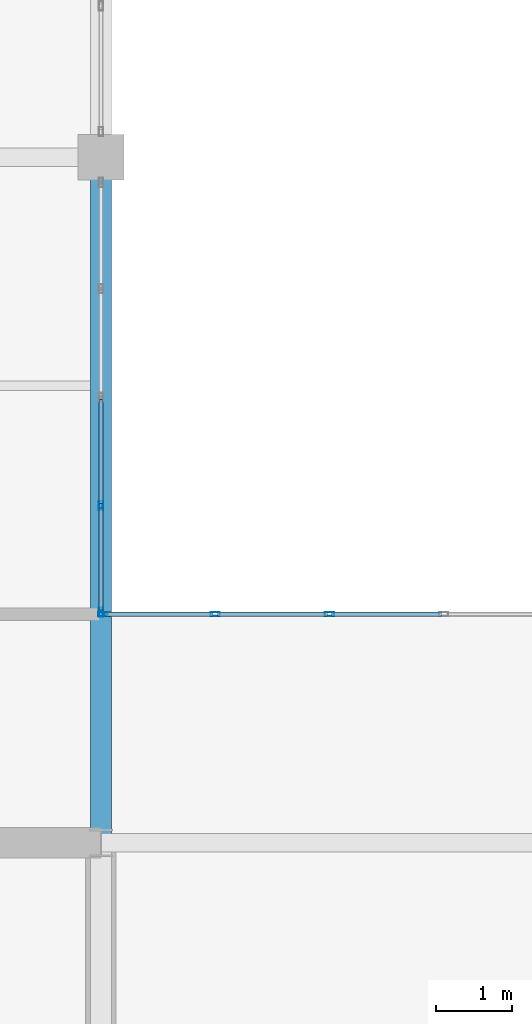
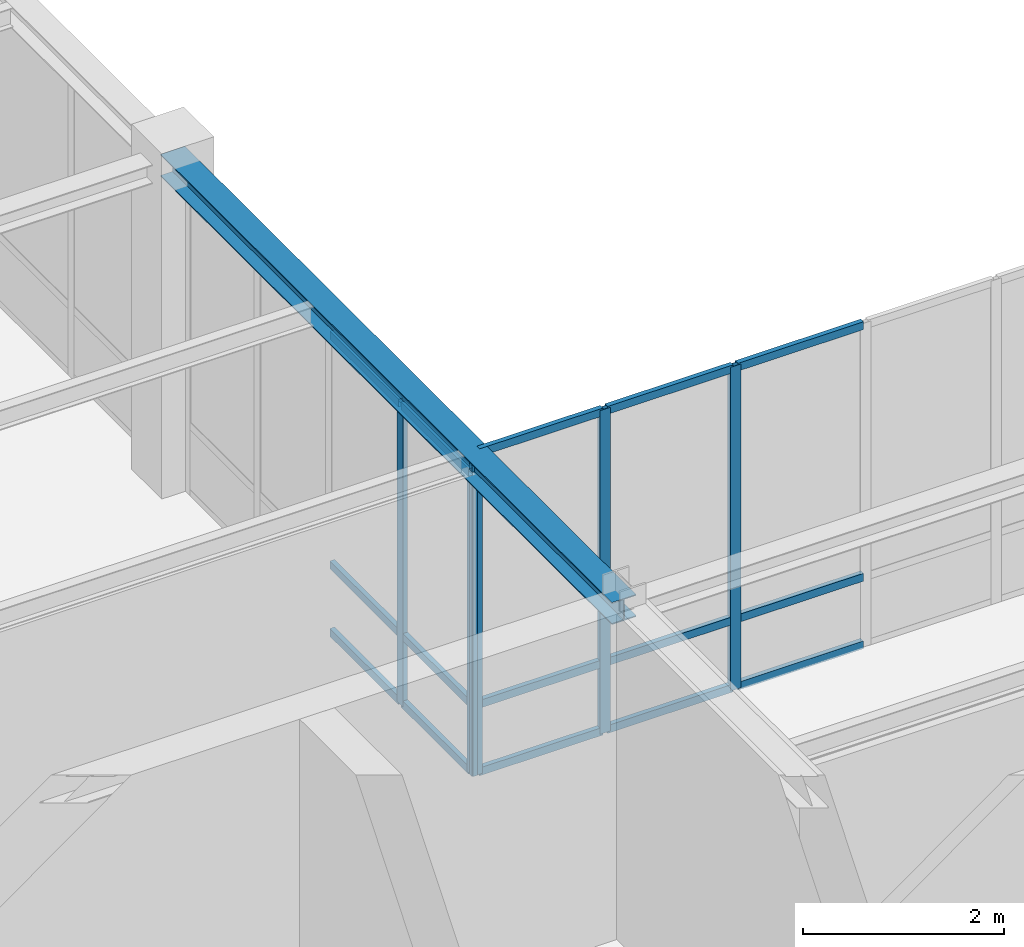
# One storey, part 18 of 97: 20 members, 1 beam, 2 elements without a shape of their own.
"""IFC4 building model written with IfcOpenShell, lengths in metres."""

from ifc_helpers import new_model, si_unit, direction, frame, origin, origin_2d, place, context, subcontext, project, spatial, hollow_rectangle, i_section, extrude, material, material_profile, profile_set, type_object, element, aggregate, save


model = new_model("IFC4")

# Units and contexts
model_context = context("Model", 3, precision=1e-05, world=origin(), true_north=direction((0.0, 1.0)))
body_context = subcontext(model_context, "Body", "Model", "MODEL_VIEW")
ifc_project = project(units=[si_unit("LENGTHUNIT", "METRE"), si_unit("AREAUNIT", "SQUARE_METRE"), si_unit("VOLUMEUNIT", "CUBIC_METRE"), si_unit("PLANEANGLEUNIT", "RADIAN"), si_unit("MASSUNIT", "GRAM", prefix="KILO")], contexts=[model_context])

# Site, building, storey
site_placement = place(None, origin())
site = spatial("IfcSite", under=ifc_project, at=site_placement, CompositionType="ELEMENT")
building_placement = place(site_placement, origin())
building = spatial("IfcBuilding", under=site, at=building_placement, Name="Lykobir Media Centre", CompositionType="ELEMENT")
storey_placement = place(building_placement, frame((0.0, 0.0, 23.39990234375)))
storey = spatial("IfcBuildingStorey", under=building, at=storey_placement, Name="L05", CompositionType="ELEMENT", Elevation=23.39990234375)

# Beam
ifc_material_1 = material(Name="Steel S355", Category="steel")
ifc_material_profile_1 = material_profile(ifc_material_1, i_section(OverallWidth=0.280029296875, OverallDepth=0.27001953125, WebThickness=0.008056640625, FlangeThickness=0.012939453125, at=origin_2d()), Name="HEA 280")
ifc_profile_set_1 = profile_set([ifc_material_profile_1], Name="Steel S355")
beam_type = type_object("IfcBeamType", Name="BM-HEA280", PredefinedType="BEAM", material=ifc_profile_set_1)
beam_placement = place(storey_placement, frame((36.0, 18.0, 3.8251953125), z_axis=(0.0, 1.0, 0.0), x_axis=(-1.0, 0.0, 0.0)))
element("IfcBeam", 1, at=beam_placement, inside=storey, type_object=beam_type, Name="Beam BM-L05-0360-0180-0360-0270-2722", PredefinedType="BEAM", context=body_context, shape_type="SweptSolid", body=[
    extrude(i_section(OverallWidth=0.280029296875, OverallDepth=0.27001953125, WebThickness=0.008056640625, FlangeThickness=0.012939453125, at=origin_2d()), origin(), (0.0, 0.0, 1.0), 9.0),
])

# Curtain wall, members
ifc_material_2 = material(Name="Anodized Aluminium AW-6060", Category="aluminium")
curtain_wall_type = type_object("IfcCurtainWallType", Name="CW-COURT-B", PredefinedType="NOTDEFINED", material=ifc_material_2)
curtain_wall_1_placement = place(storey_placement, origin())
curtain_wall_1 = element("IfcCurtainWall", 2, at=curtain_wall_1_placement, inside=storey, type_object=curtain_wall_type, Name="Curtain wall CW2-L05-0190", PredefinedType="NOTDEFINED")
ifc_material_profile_2 = material_profile(ifc_material_2, hollow_rectangle(XDim=0.054931640625, YDim=0.1201171875, WallThickness=0.003173828125, at=origin_2d()), Name="ALU MULLION 55x120")
ifc_profile_set_2 = profile_set([ifc_material_profile_2], Name="Anodized Aluminium AW-6060")
member_type_1 = type_object("IfcMemberType", Name="CWM-120", PredefinedType="MULLION", material=ifc_profile_set_2)
member_1_placement = place(storey_placement, frame((36.027587890625, 21.0, 0.0), z_axis=(0.0, 0.0, 1.0), x_axis=(0.0, 1.0, 0.0)))
member_1 = element("IfcMember", 3, at=member_1_placement, type_object=member_type_1, Name="CW2-L05-0190 mullion 1", PredefinedType="MULLION", context=body_context, shape_type="SweptSolid", body=[
    extrude(hollow_rectangle(XDim=0.054931640625, YDim=0.1201171875, WallThickness=0.003173828125, at=origin_2d()), origin(), (0.0, 0.0, 1.0), 3.940185546875),
])
member_2_placement = place(storey_placement, frame((37.5, 21.0, 0.0), z_axis=(0.0, 0.0, 1.0), x_axis=(0.0, 1.0, 0.0)))
member_2 = element("IfcMember", 4, at=member_2_placement, type_object=member_type_1, Name="CW2-L05-0190 mullion 2", PredefinedType="MULLION", context=body_context, shape_type="SweptSolid", body=[
    extrude(hollow_rectangle(XDim=0.054931640625, YDim=0.1201171875, WallThickness=0.003173828125, at=origin_2d()), origin(), (0.0, 0.0, 1.0), 3.940185546875),
])
member_3_placement = place(storey_placement, frame((39.0, 21.0, 0.0), z_axis=(0.0, 0.0, 1.0), x_axis=(0.0, 1.0, 0.0)))
member_3 = element("IfcMember", 5, at=member_3_placement, type_object=member_type_1, Name="CW2-L05-0190 mullion 3", PredefinedType="MULLION", context=body_context, shape_type="SweptSolid", body=[
    extrude(hollow_rectangle(XDim=0.054931640625, YDim=0.1201171875, WallThickness=0.003173828125, at=origin_2d()), origin(), (0.0, 0.0, 1.0), 3.940185546875),
])

curtain_wall_2_placement = place(storey_placement, origin())
curtain_wall_2 = element("IfcCurtainWall", 6, at=curtain_wall_2_placement, inside=storey, type_object=curtain_wall_type, Name="Curtain wall CW2-L05-0194", PredefinedType="NOTDEFINED")
member_4_placement = place(storey_placement, frame((36.0, 22.423583984375, 0.0), z_axis=(0.0, 0.0, 1.0), x_axis=(1.0, 0.0, 0.0)))
member_4 = element("IfcMember", 7, at=member_4_placement, type_object=member_type_1, Name="CW2-L05-0194 mullion 4", PredefinedType="MULLION", context=body_context, shape_type="SweptSolid", body=[
    extrude(hollow_rectangle(XDim=0.054931640625, YDim=0.1201171875, WallThickness=0.003173828125, at=origin_2d()), origin(), (0.0, 0.0, 1.0), 3.675048828125),
])
member_5_placement = place(storey_placement, frame((36.0, 21.027587890625, 0.0), z_axis=(0.0, 0.0, 1.0), x_axis=(1.0, 0.0, 0.0)))
member_5 = element("IfcMember", 8, at=member_5_placement, type_object=member_type_1, Name="CW2-L05-0194 mullion 5", PredefinedType="MULLION", context=body_context, shape_type="SweptSolid", body=[
    extrude(hollow_rectangle(XDim=0.054931640625, YDim=0.1201171875, WallThickness=0.003173828125, at=origin_2d()), origin(), (0.0, 0.0, 1.0), 3.675048828125),
])

# Member
ifc_material_profile_3 = material_profile(ifc_material_2, hollow_rectangle(XDim=0.054931640625, YDim=0.094970703125, WallThickness=0.0029296875, at=origin_2d()), Name="ALU TRANSOM 55x95")
ifc_profile_set_3 = profile_set([ifc_material_profile_3], Name="Anodized Aluminium AW-6060")
member_type_2 = type_object("IfcMemberType", Name="CWT-095", PredefinedType="USERDEFINED", material=ifc_profile_set_3)
member_6_placement = place(storey_placement, frame((36.054931640625, 21.0, 0.027587890625), z_axis=(1.0, 0.0, 0.0), x_axis=(0.0, 1.0, 0.0)))
member_6 = element("IfcMember", 9, at=member_6_placement, type_object=member_type_2, Name="CW2-L05-0190 transom 1.1", ObjectType="TRANSOM", PredefinedType="USERDEFINED", context=body_context, shape_type="SweptSolid", body=[
    extrude(hollow_rectangle(XDim=0.054931640625, YDim=0.094970703125, WallThickness=0.0029296875, at=origin_2d()), origin(), (0.0, 0.0, 1.0), 1.41748046875),
])

member_7_placement = place(storey_placement, frame((36.054931640625, 21.0, 0.85009765625), z_axis=(1.0, 0.0, 0.0), x_axis=(0.0, 1.0, 0.0)))
member_7 = element("IfcMember", 10, at=member_7_placement, type_object=member_type_2, Name="CW2-L05-0190 transom 1.2", ObjectType="TRANSOM", PredefinedType="USERDEFINED", context=body_context, shape_type="SweptSolid", body=[
    extrude(hollow_rectangle(XDim=0.054931640625, YDim=0.094970703125, WallThickness=0.0029296875, at=origin_2d()), origin(), (0.0, 0.0, 1.0), 1.41748046875),
])

member_8_placement = place(storey_placement, frame((36.054931640625, 21.0, 3.91259765625), z_axis=(1.0, 0.0, 0.0), x_axis=(0.0, 1.0, 0.0)))
member_8 = element("IfcMember", 11, at=member_8_placement, type_object=member_type_2, Name="CW2-L05-0190 transom 1.3", ObjectType="TRANSOM", PredefinedType="USERDEFINED", context=body_context, shape_type="SweptSolid", body=[
    extrude(hollow_rectangle(XDim=0.054931640625, YDim=0.094970703125, WallThickness=0.0029296875, at=origin_2d()), origin(), (0.0, 0.0, 1.0), 1.41748046875),
])

member_9_placement = place(storey_placement, frame((37.527587890625, 21.0, 0.027587890625), z_axis=(1.0, 0.0, 0.0), x_axis=(0.0, 1.0, 0.0)))
member_9 = element("IfcMember", 12, at=member_9_placement, type_object=member_type_2, Name="CW2-L05-0190 transom 2.1", ObjectType="TRANSOM", PredefinedType="USERDEFINED", context=body_context, shape_type="SweptSolid", body=[
    extrude(hollow_rectangle(XDim=0.054931640625, YDim=0.094970703125, WallThickness=0.0029296875, at=origin_2d()), origin(), (0.0, 0.0, 1.0), 1.44482421875),
])

member_10_placement = place(storey_placement, frame((37.527587890625, 21.0, 0.85009765625), z_axis=(1.0, 0.0, 0.0), x_axis=(0.0, 1.0, 0.0)))
member_10 = element("IfcMember", 13, at=member_10_placement, type_object=member_type_2, Name="CW2-L05-0190 transom 2.2", ObjectType="TRANSOM", PredefinedType="USERDEFINED", context=body_context, shape_type="SweptSolid", body=[
    extrude(hollow_rectangle(XDim=0.054931640625, YDim=0.094970703125, WallThickness=0.0029296875, at=origin_2d()), origin(), (0.0, 0.0, 1.0), 1.44482421875),
])

member_11_placement = place(storey_placement, frame((37.527587890625, 21.0, 3.91259765625), z_axis=(1.0, 0.0, 0.0), x_axis=(0.0, 1.0, 0.0)))
member_11 = element("IfcMember", 14, at=member_11_placement, type_object=member_type_2, Name="CW2-L05-0190 transom 2.3", ObjectType="TRANSOM", PredefinedType="USERDEFINED", context=body_context, shape_type="SweptSolid", body=[
    extrude(hollow_rectangle(XDim=0.054931640625, YDim=0.094970703125, WallThickness=0.0029296875, at=origin_2d()), origin(), (0.0, 0.0, 1.0), 1.44482421875),
])

member_12_placement = place(storey_placement, frame((39.027587890625, 21.0, 0.027587890625), z_axis=(1.0, 0.0, 0.0), x_axis=(0.0, 1.0, 0.0)))
member_12 = element("IfcMember", 15, at=member_12_placement, type_object=member_type_2, Name="CW2-L05-0190 transom 3.1", ObjectType="TRANSOM", PredefinedType="USERDEFINED", context=body_context, shape_type="SweptSolid", body=[
    extrude(hollow_rectangle(XDim=0.054931640625, YDim=0.094970703125, WallThickness=0.0029296875, at=origin_2d()), origin(), (0.0, 0.0, 1.0), 1.44482421875),
])

member_13_placement = place(storey_placement, frame((39.027587890625, 21.0, 0.85009765625), z_axis=(1.0, 0.0, 0.0), x_axis=(0.0, 1.0, 0.0)))
member_13 = element("IfcMember", 16, at=member_13_placement, type_object=member_type_2, Name="CW2-L05-0190 transom 3.2", ObjectType="TRANSOM", PredefinedType="USERDEFINED", context=body_context, shape_type="SweptSolid", body=[
    extrude(hollow_rectangle(XDim=0.054931640625, YDim=0.094970703125, WallThickness=0.0029296875, at=origin_2d()), origin(), (0.0, 0.0, 1.0), 1.44482421875),
])

member_14_placement = place(storey_placement, frame((39.027587890625, 21.0, 3.91259765625), z_axis=(1.0, 0.0, 0.0), x_axis=(0.0, 1.0, 0.0)))
member_14 = element("IfcMember", 17, at=member_14_placement, type_object=member_type_2, Name="CW2-L05-0190 transom 3.3", ObjectType="TRANSOM", PredefinedType="USERDEFINED", context=body_context, shape_type="SweptSolid", body=[
    extrude(hollow_rectangle(XDim=0.054931640625, YDim=0.094970703125, WallThickness=0.0029296875, at=origin_2d()), origin(), (0.0, 0.0, 1.0), 1.44482421875),
])

aggregate(curtain_wall_1, [member_1, member_2, member_3, member_6, member_7, member_8, member_9, member_10, member_11, member_12, member_13, member_14])

member_15_placement = place(storey_placement, frame((36.0, 23.820068359375, 0.027587890625), z_axis=(0.0, -1.0, 0.0), x_axis=(1.0, 0.0, 0.0)))
member_15 = element("IfcMember", 18, at=member_15_placement, type_object=member_type_2, Name="CW2-L05-0194 transom 3.1", ObjectType="TRANSOM", PredefinedType="USERDEFINED", context=body_context, shape_type="SweptSolid", body=[
    extrude(hollow_rectangle(XDim=0.054931640625, YDim=0.094970703125, WallThickness=0.0029296875, at=origin_2d()), origin(), (0.0, 0.0, 1.0), 1.36865234375),
])

member_16_placement = place(storey_placement, frame((36.0, 23.820068359375, 0.85009765625), z_axis=(0.0, -1.0, 0.0), x_axis=(1.0, 0.0, 0.0)))
member_16 = element("IfcMember", 19, at=member_16_placement, type_object=member_type_2, Name="CW2-L05-0194 transom 3.2", ObjectType="TRANSOM", PredefinedType="USERDEFINED", context=body_context, shape_type="SweptSolid", body=[
    extrude(hollow_rectangle(XDim=0.054931640625, YDim=0.094970703125, WallThickness=0.0029296875, at=origin_2d()), origin(), (0.0, 0.0, 1.0), 1.36865234375),
])

member_17_placement = place(storey_placement, frame((36.0, 23.820068359375, 3.647705078125), z_axis=(0.0, -1.0, 0.0), x_axis=(1.0, 0.0, 0.0)))
member_17 = element("IfcMember", 20, at=member_17_placement, type_object=member_type_2, Name="CW2-L05-0194 transom 3.3", ObjectType="TRANSOM", PredefinedType="USERDEFINED", context=body_context, shape_type="SweptSolid", body=[
    extrude(hollow_rectangle(XDim=0.054931640625, YDim=0.094970703125, WallThickness=0.0029296875, at=origin_2d()), origin(), (0.0, 0.0, 1.0), 1.36865234375),
])

member_18_placement = place(storey_placement, frame((36.0, 22.396240234375, 0.027587890625), z_axis=(0.0, -1.0, 0.0), x_axis=(1.0, 0.0, 0.0)))
member_18 = element("IfcMember", 21, at=member_18_placement, type_object=member_type_2, Name="CW2-L05-0194 transom 4.1", ObjectType="TRANSOM", PredefinedType="USERDEFINED", context=body_context, shape_type="SweptSolid", body=[
    extrude(hollow_rectangle(XDim=0.054931640625, YDim=0.094970703125, WallThickness=0.0029296875, at=origin_2d()), origin(), (0.0, 0.0, 1.0), 1.34130859375),
])

member_19_placement = place(storey_placement, frame((36.0, 22.396240234375, 0.85009765625), z_axis=(0.0, -1.0, 0.0), x_axis=(1.0, 0.0, 0.0)))
member_19 = element("IfcMember", 22, at=member_19_placement, type_object=member_type_2, Name="CW2-L05-0194 transom 4.2", ObjectType="TRANSOM", PredefinedType="USERDEFINED", context=body_context, shape_type="SweptSolid", body=[
    extrude(hollow_rectangle(XDim=0.054931640625, YDim=0.094970703125, WallThickness=0.0029296875, at=origin_2d()), origin(), (0.0, 0.0, 1.0), 1.34130859375),
])

member_20_placement = place(storey_placement, frame((36.0, 22.396240234375, 3.647705078125), z_axis=(0.0, -1.0, 0.0), x_axis=(1.0, 0.0, 0.0)))
member_20 = element("IfcMember", 23, at=member_20_placement, type_object=member_type_2, Name="CW2-L05-0194 transom 4.3", ObjectType="TRANSOM", PredefinedType="USERDEFINED", context=body_context, shape_type="SweptSolid", body=[
    extrude(hollow_rectangle(XDim=0.054931640625, YDim=0.094970703125, WallThickness=0.0029296875, at=origin_2d()), origin(), (0.0, 0.0, 1.0), 1.34130859375),
])

aggregate(curtain_wall_2, [member_4, member_5, member_15, member_16, member_17, member_18, member_19, member_20])

save(model, "model.ifc")
